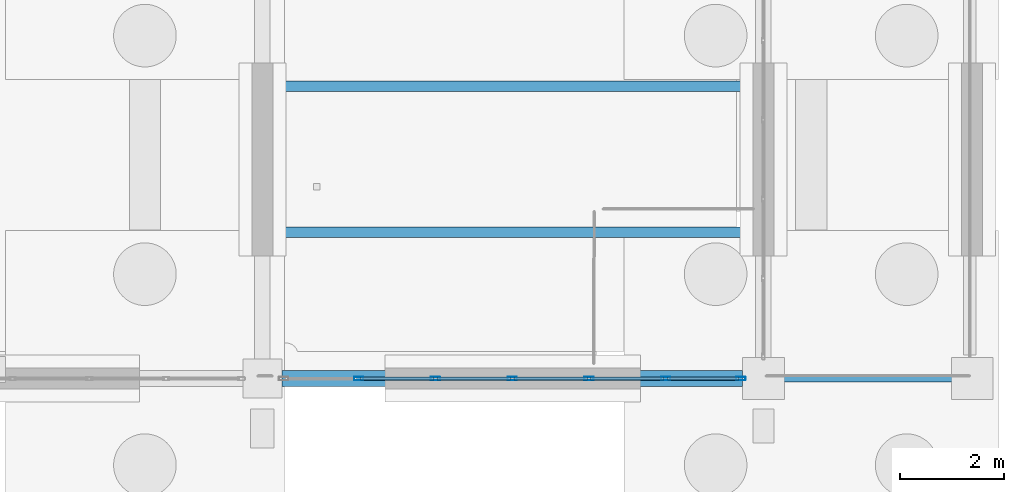
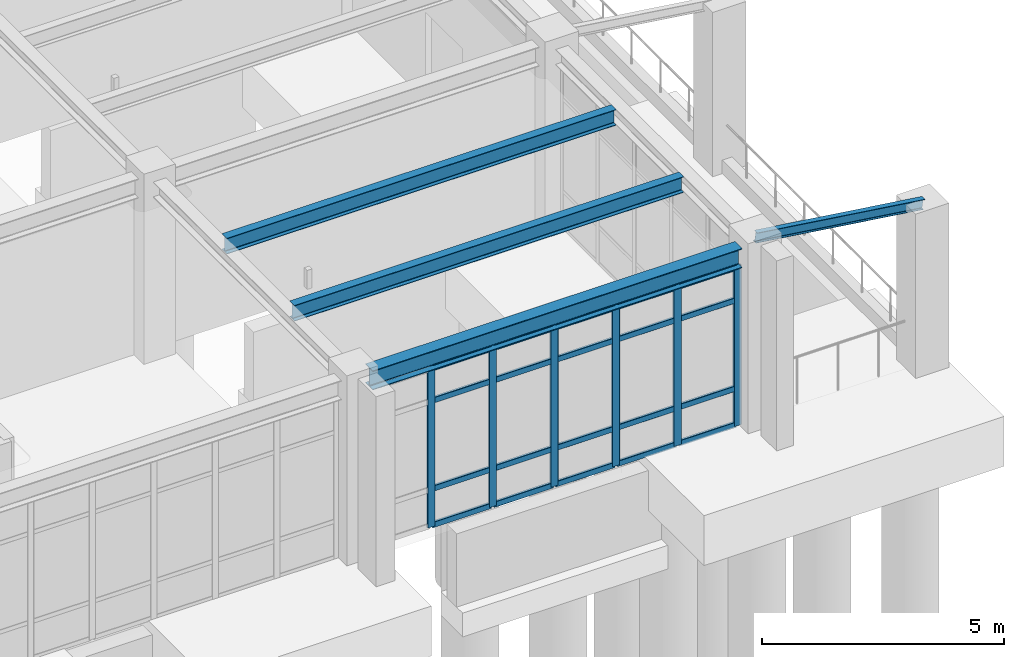
# One storey, part 52 of 111: 27 members, 3 beams, 1 element without a shape of its own.
"""IFC4 building model written with IfcOpenShell, lengths in metres."""

from ifc_helpers import new_model, si_unit, direction, frame, origin, origin_2d, place, context, subcontext, project, spatial, hollow_rectangle, i_section, extrude, material, material_profile, profile_set, type_object, element, aggregate, save


model = new_model("IFC4")

# Units and contexts
model_context = context("Model", 3, precision=1e-05, world=origin(), true_north=direction((0.0, 1.0)))
body_context = subcontext(model_context, "Body", "Model", "MODEL_VIEW")
ifc_project = project(units=[si_unit("LENGTHUNIT", "METRE"), si_unit("AREAUNIT", "SQUARE_METRE"), si_unit("VOLUMEUNIT", "CUBIC_METRE"), si_unit("PLANEANGLEUNIT", "RADIAN"), si_unit("MASSUNIT", "GRAM", prefix="KILO")], contexts=[model_context])

# Site, building, storey
site_placement = place(None, origin())
site = spatial("IfcSite", under=ifc_project, at=site_placement, CompositionType="ELEMENT")
building_placement = place(site_placement, origin())
building = spatial("IfcBuilding", under=site, at=building_placement, Name="Canglan Escarpment Cableway Terminal", CompositionType="ELEMENT")
storey_placement = place(building_placement, frame((0.0, 0.0, 4.800048828125)))
storey = spatial("IfcBuildingStorey", under=building, at=storey_placement, Name="L01", CompositionType="ELEMENT", Elevation=4.800048828125)

# Beam
ifc_material_1 = material(Name="Steel Q355B", Category="steel")
ifc_material_profile_1 = material_profile(ifc_material_1, i_section(OverallWidth=0.300048828125, OverallDepth=0.488037109375, WebThickness=0.010986328125, FlangeThickness=0.01806640625, FilletRadius=0.02587890625, at=origin_2d()), Name="HM 488x300x11x18")
ifc_profile_set_1 = profile_set([ifc_material_profile_1], Name="Steel Q355B")
beam_type_1 = type_object("IfcBeamType", Name="BM-HM488", PredefinedType="BEAM", material=ifc_profile_set_1)
beam_placement = place(storey_placement, frame((166.77490234375, 8.0, 4.285888671875), z_axis=(1.0, 0.0, 0.0), x_axis=(0.0, 1.0, 0.0)))
element("IfcBeam", 1, at=beam_placement, inside=storey, type_object=beam_type_1, Name="Primary structural girder B-09", PredefinedType="BEAM", context=body_context, shape_type="SweptSolid", body=[
    extrude(i_section(OverallWidth=0.300048828125, OverallDepth=0.488037109375, WebThickness=0.010986328125, FlangeThickness=0.01806640625, FilletRadius=0.02587890625, at=origin_2d()), origin(), (0.0, 0.0, 1.0), 8.8251953125),
])

# Curtain wall, members
ifc_material_2 = material(Name="Anodized bronze aluminium and Low-E double glazing", Category="aluminium")
curtain_wall_type = type_object("IfcCurtainWallType", Name="CW-BAY-8825x4025", PredefinedType="NOTDEFINED", material=ifc_material_2)
curtain_wall_placement = place(storey_placement, origin())
curtain_wall = element("IfcCurtainWall", 2, at=curtain_wall_placement, inside=storey, type_object=curtain_wall_type, Name="Classical bay-between-piers glazed curtain wall CW-22", PredefinedType="NOTDEFINED")
ifc_material_3 = material(Name="Thermally broken anodized aluminium 6063-T6", Category="aluminium")
ifc_material_profile_2 = material_profile(ifc_material_3, hollow_rectangle(XDim=0.06494140625, YDim=0.179931640625, WallThickness=0.00390625, InnerFilletRadius=0.00390625, OuterFilletRadius=0.008056640625, at=origin_2d()), Name="ALU-MULL 65x180x4")
ifc_profile_set_2 = profile_set([ifc_material_profile_2], Name="Thermally broken anodized aluminium 6063-T6")
member_type_1 = type_object("IfcMemberType", Name="CWM-03", PredefinedType="MULLION", material=ifc_profile_set_2)
member_1_placement = place(storey_placement, frame((168.245849609375, 8.0, 0.0), z_axis=(0.0, 0.0, 1.0), x_axis=(0.0, 1.0, 0.0)))
member_1 = element("IfcMember", 3, at=member_1_placement, type_object=member_type_1, Name="CW-22 mullion 2", PredefinedType="MULLION", context=body_context, shape_type="SweptSolid", body=[
    extrude(hollow_rectangle(XDim=0.06494140625, YDim=0.179931640625, WallThickness=0.00390625, InnerFilletRadius=0.00390625, OuterFilletRadius=0.008056640625, at=origin_2d()), origin(), (0.0, 0.0, 1.0), 4.02685546875),
])
member_2_placement = place(storey_placement, frame((169.716552734375, 8.0, 0.0), z_axis=(0.0, 0.0, 1.0), x_axis=(0.0, 1.0, 0.0)))
member_2 = element("IfcMember", 4, at=member_2_placement, type_object=member_type_1, Name="CW-22 mullion 3", PredefinedType="MULLION", context=body_context, shape_type="SweptSolid", body=[
    extrude(hollow_rectangle(XDim=0.06494140625, YDim=0.179931640625, WallThickness=0.00390625, InnerFilletRadius=0.00390625, OuterFilletRadius=0.008056640625, at=origin_2d()), origin(), (0.0, 0.0, 1.0), 4.02685546875),
])
member_3_placement = place(storey_placement, frame((171.1875, 8.0, 0.0), z_axis=(0.0, 0.0, 1.0), x_axis=(0.0, 1.0, 0.0)))
member_3 = element("IfcMember", 5, at=member_3_placement, type_object=member_type_1, Name="CW-22 mullion 4", PredefinedType="MULLION", context=body_context, shape_type="SweptSolid", body=[
    extrude(hollow_rectangle(XDim=0.06494140625, YDim=0.179931640625, WallThickness=0.00390625, InnerFilletRadius=0.00390625, OuterFilletRadius=0.008056640625, at=origin_2d()), origin(), (0.0, 0.0, 1.0), 4.02685546875),
])
member_4_placement = place(storey_placement, frame((172.658447265625, 8.0, 0.0), z_axis=(0.0, 0.0, 1.0), x_axis=(0.0, 1.0, 0.0)))
member_4 = element("IfcMember", 6, at=member_4_placement, type_object=member_type_1, Name="CW-22 mullion 5", PredefinedType="MULLION", context=body_context, shape_type="SweptSolid", body=[
    extrude(hollow_rectangle(XDim=0.06494140625, YDim=0.179931640625, WallThickness=0.00390625, InnerFilletRadius=0.00390625, OuterFilletRadius=0.008056640625, at=origin_2d()), origin(), (0.0, 0.0, 1.0), 4.02685546875),
])
member_5_placement = place(storey_placement, frame((174.129150390625, 8.0, 0.0), z_axis=(0.0, 0.0, 1.0), x_axis=(0.0, 1.0, 0.0)))
member_5 = element("IfcMember", 7, at=member_5_placement, type_object=member_type_1, Name="CW-22 mullion 6", PredefinedType="MULLION", context=body_context, shape_type="SweptSolid", body=[
    extrude(hollow_rectangle(XDim=0.06494140625, YDim=0.179931640625, WallThickness=0.00390625, InnerFilletRadius=0.00390625, OuterFilletRadius=0.008056640625, at=origin_2d()), origin(), (0.0, 0.0, 1.0), 4.02685546875),
])
member_6_placement = place(storey_placement, frame((175.5673828125, 8.0, 0.0), z_axis=(0.0, 0.0, 1.0), x_axis=(0.0, 1.0, 0.0)))
member_6 = element("IfcMember", 8, at=member_6_placement, type_object=member_type_1, Name="CW-22 mullion 7", PredefinedType="MULLION", context=body_context, shape_type="SweptSolid", body=[
    extrude(hollow_rectangle(XDim=0.06494140625, YDim=0.179931640625, WallThickness=0.00390625, InnerFilletRadius=0.00390625, OuterFilletRadius=0.008056640625, at=origin_2d()), origin(), (0.0, 0.0, 1.0), 4.02685546875),
])
ifc_material_profile_3 = material_profile(ifc_material_3, hollow_rectangle(XDim=0.06494140625, YDim=0.139892578125, WallThickness=0.00341796875, InnerFilletRadius=0.00341796875, OuterFilletRadius=0.007080078125, at=origin_2d()), Name="ALU-TRAN 65x140x3.5")
ifc_profile_set_3 = profile_set([ifc_material_profile_3], Name="Thermally broken anodized aluminium 6063-T6")
member_type_2 = type_object("IfcMemberType", Name="CWT-03", PredefinedType="USERDEFINED", material=ifc_profile_set_3)
member_7_placement = place(storey_placement, frame((168.2783203125, 8.0, 0.032470703125), z_axis=(1.0, 0.0, 0.0), x_axis=(0.0, 1.0, 0.0)))
member_7 = element("IfcMember", 9, at=member_7_placement, type_object=member_type_2, Name="CW-22 transom 2.1", ObjectType="TRANSOM", PredefinedType="USERDEFINED", context=body_context, shape_type="SweptSolid", body=[
    extrude(hollow_rectangle(XDim=0.06494140625, YDim=0.139892578125, WallThickness=0.00341796875, InnerFilletRadius=0.00341796875, OuterFilletRadius=0.007080078125, at=origin_2d()), origin(), (0.0, 0.0, 1.0), 1.40576171875),
])
member_8_placement = place(storey_placement, frame((168.2783203125, 8.0, 0.949951171875), z_axis=(1.0, 0.0, 0.0), x_axis=(0.0, 1.0, 0.0)))
member_8 = element("IfcMember", 10, at=member_8_placement, type_object=member_type_2, Name="CW-22 transom 2.2", ObjectType="TRANSOM", PredefinedType="USERDEFINED", context=body_context, shape_type="SweptSolid", body=[
    extrude(hollow_rectangle(XDim=0.06494140625, YDim=0.139892578125, WallThickness=0.00341796875, InnerFilletRadius=0.00341796875, OuterFilletRadius=0.007080078125, at=origin_2d()), origin(), (0.0, 0.0, 1.0), 1.40576171875),
])
member_9_placement = place(storey_placement, frame((168.2783203125, 8.0, 3.177001953125), z_axis=(1.0, 0.0, 0.0), x_axis=(0.0, 1.0, 0.0)))
member_9 = element("IfcMember", 11, at=member_9_placement, type_object=member_type_2, Name="CW-22 transom 2.3", ObjectType="TRANSOM", PredefinedType="USERDEFINED", context=body_context, shape_type="SweptSolid", body=[
    extrude(hollow_rectangle(XDim=0.06494140625, YDim=0.139892578125, WallThickness=0.00341796875, InnerFilletRadius=0.00341796875, OuterFilletRadius=0.007080078125, at=origin_2d()), origin(), (0.0, 0.0, 1.0), 1.40576171875),
])
member_10_placement = place(storey_placement, frame((168.2783203125, 8.0, 3.994384765625), z_axis=(1.0, 0.0, 0.0), x_axis=(0.0, 1.0, 0.0)))
member_10 = element("IfcMember", 12, at=member_10_placement, type_object=member_type_2, Name="CW-22 transom 2.4", ObjectType="TRANSOM", PredefinedType="USERDEFINED", context=body_context, shape_type="SweptSolid", body=[
    extrude(hollow_rectangle(XDim=0.06494140625, YDim=0.139892578125, WallThickness=0.00341796875, InnerFilletRadius=0.00341796875, OuterFilletRadius=0.007080078125, at=origin_2d()), origin(), (0.0, 0.0, 1.0), 1.40576171875),
])
member_11_placement = place(storey_placement, frame((169.749267578125, 8.0, 0.032470703125), z_axis=(1.0, 0.0, 0.0), x_axis=(0.0, 1.0, 0.0)))
member_11 = element("IfcMember", 13, at=member_11_placement, type_object=member_type_2, Name="CW-22 transom 3.1", ObjectType="TRANSOM", PredefinedType="USERDEFINED", context=body_context, shape_type="SweptSolid", body=[
    extrude(hollow_rectangle(XDim=0.06494140625, YDim=0.139892578125, WallThickness=0.00341796875, InnerFilletRadius=0.00341796875, OuterFilletRadius=0.007080078125, at=origin_2d()), origin(), (0.0, 0.0, 1.0), 1.40576171875),
])
member_12_placement = place(storey_placement, frame((169.749267578125, 8.0, 0.949951171875), z_axis=(1.0, 0.0, 0.0), x_axis=(0.0, 1.0, 0.0)))
member_12 = element("IfcMember", 14, at=member_12_placement, type_object=member_type_2, Name="CW-22 transom 3.2", ObjectType="TRANSOM", PredefinedType="USERDEFINED", context=body_context, shape_type="SweptSolid", body=[
    extrude(hollow_rectangle(XDim=0.06494140625, YDim=0.139892578125, WallThickness=0.00341796875, InnerFilletRadius=0.00341796875, OuterFilletRadius=0.007080078125, at=origin_2d()), origin(), (0.0, 0.0, 1.0), 1.40576171875),
])
member_13_placement = place(storey_placement, frame((169.749267578125, 8.0, 3.177001953125), z_axis=(1.0, 0.0, 0.0), x_axis=(0.0, 1.0, 0.0)))
member_13 = element("IfcMember", 15, at=member_13_placement, type_object=member_type_2, Name="CW-22 transom 3.3", ObjectType="TRANSOM", PredefinedType="USERDEFINED", context=body_context, shape_type="SweptSolid", body=[
    extrude(hollow_rectangle(XDim=0.06494140625, YDim=0.139892578125, WallThickness=0.00341796875, InnerFilletRadius=0.00341796875, OuterFilletRadius=0.007080078125, at=origin_2d()), origin(), (0.0, 0.0, 1.0), 1.40576171875),
])
member_14_placement = place(storey_placement, frame((169.749267578125, 8.0, 3.994384765625), z_axis=(1.0, 0.0, 0.0), x_axis=(0.0, 1.0, 0.0)))
member_14 = element("IfcMember", 16, at=member_14_placement, type_object=member_type_2, Name="CW-22 transom 3.4", ObjectType="TRANSOM", PredefinedType="USERDEFINED", context=body_context, shape_type="SweptSolid", body=[
    extrude(hollow_rectangle(XDim=0.06494140625, YDim=0.139892578125, WallThickness=0.00341796875, InnerFilletRadius=0.00341796875, OuterFilletRadius=0.007080078125, at=origin_2d()), origin(), (0.0, 0.0, 1.0), 1.40576171875),
])
member_15_placement = place(storey_placement, frame((171.219970703125, 8.0, 0.032470703125), z_axis=(1.0, 0.0, 0.0), x_axis=(0.0, 1.0, 0.0)))
member_15 = element("IfcMember", 17, at=member_15_placement, type_object=member_type_2, Name="CW-22 transom 4.1", ObjectType="TRANSOM", PredefinedType="USERDEFINED", context=body_context, shape_type="SweptSolid", body=[
    extrude(hollow_rectangle(XDim=0.06494140625, YDim=0.139892578125, WallThickness=0.00341796875, InnerFilletRadius=0.00341796875, OuterFilletRadius=0.007080078125, at=origin_2d()), origin(), (0.0, 0.0, 1.0), 1.40576171875),
])
member_16_placement = place(storey_placement, frame((171.219970703125, 8.0, 0.949951171875), z_axis=(1.0, 0.0, 0.0), x_axis=(0.0, 1.0, 0.0)))
member_16 = element("IfcMember", 18, at=member_16_placement, type_object=member_type_2, Name="CW-22 transom 4.2", ObjectType="TRANSOM", PredefinedType="USERDEFINED", context=body_context, shape_type="SweptSolid", body=[
    extrude(hollow_rectangle(XDim=0.06494140625, YDim=0.139892578125, WallThickness=0.00341796875, InnerFilletRadius=0.00341796875, OuterFilletRadius=0.007080078125, at=origin_2d()), origin(), (0.0, 0.0, 1.0), 1.40576171875),
])
member_17_placement = place(storey_placement, frame((171.219970703125, 8.0, 3.177001953125), z_axis=(1.0, 0.0, 0.0), x_axis=(0.0, 1.0, 0.0)))
member_17 = element("IfcMember", 19, at=member_17_placement, type_object=member_type_2, Name="CW-22 transom 4.3", ObjectType="TRANSOM", PredefinedType="USERDEFINED", context=body_context, shape_type="SweptSolid", body=[
    extrude(hollow_rectangle(XDim=0.06494140625, YDim=0.139892578125, WallThickness=0.00341796875, InnerFilletRadius=0.00341796875, OuterFilletRadius=0.007080078125, at=origin_2d()), origin(), (0.0, 0.0, 1.0), 1.40576171875),
])
member_18_placement = place(storey_placement, frame((171.219970703125, 8.0, 3.994384765625), z_axis=(1.0, 0.0, 0.0), x_axis=(0.0, 1.0, 0.0)))
member_18 = element("IfcMember", 20, at=member_18_placement, type_object=member_type_2, Name="CW-22 transom 4.4", ObjectType="TRANSOM", PredefinedType="USERDEFINED", context=body_context, shape_type="SweptSolid", body=[
    extrude(hollow_rectangle(XDim=0.06494140625, YDim=0.139892578125, WallThickness=0.00341796875, InnerFilletRadius=0.00341796875, OuterFilletRadius=0.007080078125, at=origin_2d()), origin(), (0.0, 0.0, 1.0), 1.40576171875),
])
member_19_placement = place(storey_placement, frame((172.69091796875, 8.0, 0.032470703125), z_axis=(1.0, 0.0, 0.0), x_axis=(0.0, 1.0, 0.0)))
member_19 = element("IfcMember", 21, at=member_19_placement, type_object=member_type_2, Name="CW-22 transom 5.1", ObjectType="TRANSOM", PredefinedType="USERDEFINED", context=body_context, shape_type="SweptSolid", body=[
    extrude(hollow_rectangle(XDim=0.06494140625, YDim=0.139892578125, WallThickness=0.00341796875, InnerFilletRadius=0.00341796875, OuterFilletRadius=0.007080078125, at=origin_2d()), origin(), (0.0, 0.0, 1.0), 1.40576171875),
])
member_20_placement = place(storey_placement, frame((172.69091796875, 8.0, 0.949951171875), z_axis=(1.0, 0.0, 0.0), x_axis=(0.0, 1.0, 0.0)))
member_20 = element("IfcMember", 22, at=member_20_placement, type_object=member_type_2, Name="CW-22 transom 5.2", ObjectType="TRANSOM", PredefinedType="USERDEFINED", context=body_context, shape_type="SweptSolid", body=[
    extrude(hollow_rectangle(XDim=0.06494140625, YDim=0.139892578125, WallThickness=0.00341796875, InnerFilletRadius=0.00341796875, OuterFilletRadius=0.007080078125, at=origin_2d()), origin(), (0.0, 0.0, 1.0), 1.40576171875),
])
member_21_placement = place(storey_placement, frame((172.69091796875, 8.0, 3.177001953125), z_axis=(1.0, 0.0, 0.0), x_axis=(0.0, 1.0, 0.0)))
member_21 = element("IfcMember", 23, at=member_21_placement, type_object=member_type_2, Name="CW-22 transom 5.3", ObjectType="TRANSOM", PredefinedType="USERDEFINED", context=body_context, shape_type="SweptSolid", body=[
    extrude(hollow_rectangle(XDim=0.06494140625, YDim=0.139892578125, WallThickness=0.00341796875, InnerFilletRadius=0.00341796875, OuterFilletRadius=0.007080078125, at=origin_2d()), origin(), (0.0, 0.0, 1.0), 1.40576171875),
])
member_22_placement = place(storey_placement, frame((172.69091796875, 8.0, 3.994384765625), z_axis=(1.0, 0.0, 0.0), x_axis=(0.0, 1.0, 0.0)))
member_22 = element("IfcMember", 24, at=member_22_placement, type_object=member_type_2, Name="CW-22 transom 5.4", ObjectType="TRANSOM", PredefinedType="USERDEFINED", context=body_context, shape_type="SweptSolid", body=[
    extrude(hollow_rectangle(XDim=0.06494140625, YDim=0.139892578125, WallThickness=0.00341796875, InnerFilletRadius=0.00341796875, OuterFilletRadius=0.007080078125, at=origin_2d()), origin(), (0.0, 0.0, 1.0), 1.40576171875),
])
member_23_placement = place(storey_placement, frame((174.16162109375, 8.0, 0.032470703125), z_axis=(1.0, 0.0, 0.0), x_axis=(0.0, 1.0, 0.0)))
member_23 = element("IfcMember", 25, at=member_23_placement, type_object=member_type_2, Name="CW-22 transom 6.1", ObjectType="TRANSOM", PredefinedType="USERDEFINED", context=body_context, shape_type="SweptSolid", body=[
    extrude(hollow_rectangle(XDim=0.06494140625, YDim=0.139892578125, WallThickness=0.00341796875, InnerFilletRadius=0.00341796875, OuterFilletRadius=0.007080078125, at=origin_2d()), origin(), (0.0, 0.0, 1.0), 1.373291015625),
])
member_24_placement = place(storey_placement, frame((174.16162109375, 8.0, 0.949951171875), z_axis=(1.0, 0.0, 0.0), x_axis=(0.0, 1.0, 0.0)))
member_24 = element("IfcMember", 26, at=member_24_placement, type_object=member_type_2, Name="CW-22 transom 6.2", ObjectType="TRANSOM", PredefinedType="USERDEFINED", context=body_context, shape_type="SweptSolid", body=[
    extrude(hollow_rectangle(XDim=0.06494140625, YDim=0.139892578125, WallThickness=0.00341796875, InnerFilletRadius=0.00341796875, OuterFilletRadius=0.007080078125, at=origin_2d()), origin(), (0.0, 0.0, 1.0), 1.373291015625),
])
member_25_placement = place(storey_placement, frame((174.16162109375, 8.0, 3.177001953125), z_axis=(1.0, 0.0, 0.0), x_axis=(0.0, 1.0, 0.0)))
member_25 = element("IfcMember", 27, at=member_25_placement, type_object=member_type_2, Name="CW-22 transom 6.3", ObjectType="TRANSOM", PredefinedType="USERDEFINED", context=body_context, shape_type="SweptSolid", body=[
    extrude(hollow_rectangle(XDim=0.06494140625, YDim=0.139892578125, WallThickness=0.00341796875, InnerFilletRadius=0.00341796875, OuterFilletRadius=0.007080078125, at=origin_2d()), origin(), (0.0, 0.0, 1.0), 1.373291015625),
])
member_26_placement = place(storey_placement, frame((174.16162109375, 8.0, 3.994384765625), z_axis=(1.0, 0.0, 0.0), x_axis=(0.0, 1.0, 0.0)))
member_26 = element("IfcMember", 28, at=member_26_placement, type_object=member_type_2, Name="CW-22 transom 6.4", ObjectType="TRANSOM", PredefinedType="USERDEFINED", context=body_context, shape_type="SweptSolid", body=[
    extrude(hollow_rectangle(XDim=0.06494140625, YDim=0.139892578125, WallThickness=0.00341796875, InnerFilletRadius=0.00341796875, OuterFilletRadius=0.007080078125, at=origin_2d()), origin(), (0.0, 0.0, 1.0), 1.373291015625),
])
aggregate(curtain_wall, [member_1, member_2, member_3, member_4, member_5, member_6, member_7, member_8, member_9, member_10, member_11, member_12, member_13, member_14, member_15, member_16, member_17, member_18, member_19, member_20, member_21, member_22, member_23, member_24, member_25, member_26])

# Beams
ifc_material_profile_4 = material_profile(ifc_material_1, i_section(OverallWidth=0.199951171875, OverallDepth=0.39990234375, WebThickness=0.008056640625, FlangeThickness=0.012939453125, FilletRadius=0.01611328125, at=origin_2d()), Name="HN 400x200x8x13")
ifc_profile_set_4 = profile_set([ifc_material_profile_4], Name="Steel Q355B")
beam_type_2 = type_object("IfcBeamType", Name="JS-HN400", PredefinedType="JOIST", material=ifc_profile_set_4)
for number, where, z_axis, x_axis, name in (
    (29, (166.550048828125, 10.800048828125, 4.329833984375), (1.0, 0.0, 0.0), (0.0, 1.0, 0.0), "Secondary composite deck joist J-03"),
    (30, (166.550048828125, 13.60009765625, 4.329833984375), (1.0, 0.0, 0.0), (0.0, 1.0, 0.0), "Secondary composite deck joist J-03"),
):
    element("IfcBeam", number, at=place(storey_placement, frame(where, z_axis=z_axis, x_axis=x_axis)), inside=storey, type_object=beam_type_2, Name=name, PredefinedType="JOIST", context=body_context, shape_type="SweptSolid", body=[
        extrude(i_section(OverallWidth=0.199951171875, OverallDepth=0.39990234375, WebThickness=0.008056640625, FlangeThickness=0.012939453125, FilletRadius=0.01611328125, at=origin_2d()), origin(), (0.0, 0.0, 1.0), 9.300048828125),
    ])

# Member
ifc_material_profile_5 = material_profile(ifc_material_1, i_section(OverallWidth=0.125, OverallDepth=0.25, WebThickness=0.006103515625, FlangeThickness=0.009033203125, FilletRadius=0.011962890625, at=origin_2d()), Name="HN 250x125x6x9")
ifc_profile_set_5 = profile_set([ifc_material_profile_5], Name="Steel Q355B")
member_type_3 = type_object("IfcMemberType", Name="MB-PORT-RAFT-HN250", PredefinedType="RAFTER", material=ifc_profile_set_5)
member_27_placement = place(storey_placement, frame((176.0, 8.0, 4.599853515625), z_axis=(0.990685366619, 0.0, -0.136170864601), x_axis=(0.0, 1.0, 0.0)))
element("IfcMember", 31, at=member_27_placement, inside=storey, type_object=member_type_3, Name="Arrival portico canopy rafter RF-R02", PredefinedType="RAFTER", context=body_context, shape_type="SweptSolid", body=[
    extrude(i_section(OverallWidth=0.125, OverallDepth=0.25, WebThickness=0.006103515625, FlangeThickness=0.009033203125, FilletRadius=0.011962890625, at=origin_2d()), origin(), (0.0, 0.0, 1.0), 4.03759765625),
])

save(model, "model.ifc")
